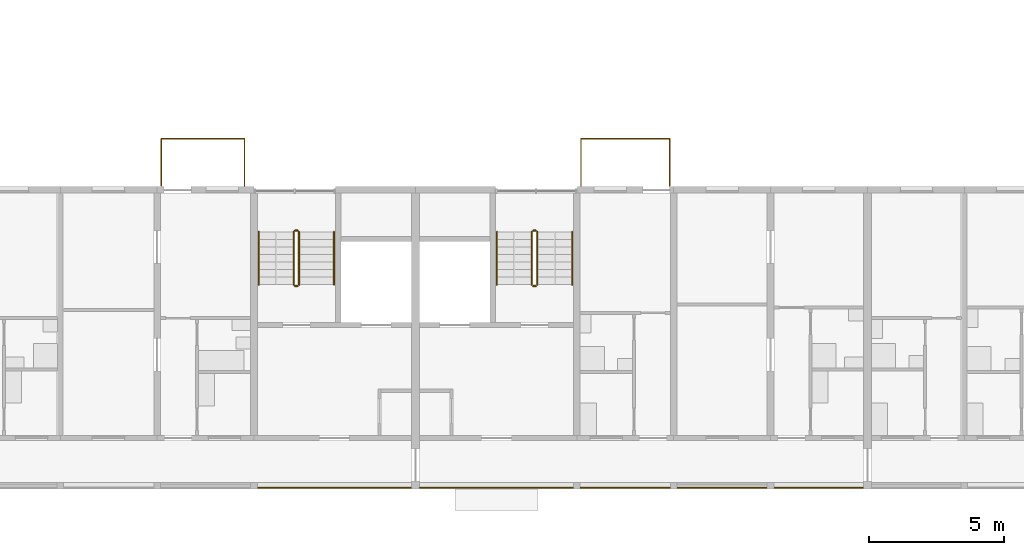
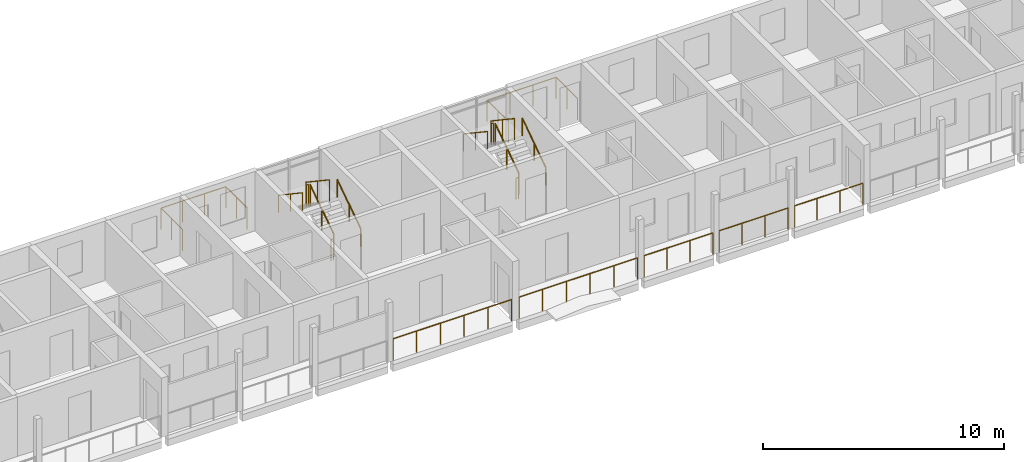
# One storey, part 74 of 100: 19 railings.
"""IFC4 building model written with IfcOpenShell, lengths in metres."""

import ifcopenshell
import ifcopenshell.guid

model = None  # the IFC model being written
_history = None  # IfcOwnerHistory: only IFC2X3 demands one
_inside = {}  # id of a spatial element -> (the spatial element, [elements in it])
_under = {}  # id of a project, library or spatial element -> (it, [spatial elements below it])
_declared = {}  # id of a project -> (the project, [libraries it declares])
_typed = {}  # id of a type object -> (the type object, [elements of that type])
_made_of = {}  # id of a material, layer set ... -> (it, [elements and type objects made of it])


def new_model(schema):
    """Start an empty IFC model of exactly this schema.

    Asked for "IFC4X3", IfcOpenShell would pick the latest addendum, in which some entities
    have other attributes; the version numbers below select the first issue.
    IFC2X3 requires an IfcOwnerHistory on every rooted entity: one is made here for all.
    """
    global model, _history
    if schema == "IFC4X3":
        model = ifcopenshell.file(schema_version=(4, 3, 0, 0))
    else:
        model = ifcopenshell.file(schema=schema)
    _inside.clear()
    _under.clear()
    _declared.clear()
    _typed.clear()
    _made_of.clear()
    _history = None
    if model.schema == "IFC2X3":
        org = make("IfcOrganization", Name="unknown")
        user = make(
            "IfcPersonAndOrganization",
            ThePerson=make("IfcPerson", FamilyName="unknown"),
            TheOrganization=org,
        )
        app = make(
            "IfcApplication",
            ApplicationDeveloper=org,
            Version="unknown",
            ApplicationFullName="unknown",
            ApplicationIdentifier="unknown",
        )
        _history = make(
            "IfcOwnerHistory",
            OwningUser=user,
            OwningApplication=app,
            ChangeAction="ADDED",
            CreationDate=0,
        )
    return model


def make(cls, **values):
    """One entity of the class cls with the attributes given. An attribute that is None is left unset."""
    return model.create_entity(
        cls, **{name: value for name, value in values.items() if value is not None}
    )


def rooted(cls, **values):
    """An entity with a GlobalId (a new one), such as an element, a storey or a relation."""
    return make(cls, GlobalId=ifcopenshell.guid.new(), OwnerHistory=_history, **values)


def si_unit(unit_type, name, prefix=None):
    """IfcSIUnit, for example si_unit("LENGTHUNIT", "METRE", prefix="MILLI")."""
    return make("IfcSIUnit", UnitType=unit_type, Prefix=prefix, Name=name)


def assignment(units):
    """IfcUnitAssignment: the units of a project."""
    return None if units is None else make("IfcUnitAssignment", Units=units)


def point(xyz):
    """IfcCartesianPoint."""
    return None if xyz is None else make("IfcCartesianPoint", Coordinates=xyz)


def direction(xyz):
    """IfcDirection."""
    return None if xyz is None else make("IfcDirection", DirectionRatios=xyz)


def frame(location, z_axis=None, x_axis=None):
    """IfcAxis2Placement3D, a coordinate frame: its origin and axes. An axis left out is left unset."""
    return make(
        "IfcAxis2Placement3D",
        Location=point(location),
        Axis=direction(z_axis),
        RefDirection=direction(x_axis),
    )


def frame_2d(location, x_axis=None):
    """IfcAxis2Placement2D, a coordinate frame in the plane: its origin and x axis."""
    return make(
        "IfcAxis2Placement2D", Location=point(location), RefDirection=direction(x_axis)
    )


def origin():
    """The frame at (0, 0, 0) with its axes left unset."""
    return frame((0.0, 0.0, 0.0))


def origin_2d():
    """The frame at (0, 0) in the plane with its x axis left unset."""
    return frame_2d((0.0, 0.0))


def place(relative_to, where):
    """IfcLocalPlacement: puts the frame where relative to a parent placement (None: the world)."""
    return make(
        "IfcLocalPlacement", PlacementRelTo=relative_to, RelativePlacement=where
    )


def context(
    kind, dimensions, precision=None, world=None, true_north=None, identifier=None
):
    """IfcGeometricRepresentationContext, for example the 3D "Model" context."""
    return make(
        "IfcGeometricRepresentationContext",
        ContextIdentifier=identifier,
        ContextType=kind,
        CoordinateSpaceDimension=dimensions,
        Precision=precision,
        WorldCoordinateSystem=world,
        TrueNorth=true_north,
    )


def subcontext(parent, identifier, kind, view, scale=None):
    """IfcGeometricRepresentationSubContext, for example "Body" below "Model"."""
    return make(
        "IfcGeometricRepresentationSubContext",
        ContextIdentifier=identifier,
        ContextType=kind,
        ParentContext=parent,
        TargetScale=scale,
        TargetView=view,
    )


def project(units=None, contexts=None):
    """IfcProject with its units and contexts."""
    return rooted(
        "IfcProject",
        Name="project",
        RepresentationContexts=contexts,
        UnitsInContext=assignment(units),
    )


def spatial(cls, under=None, at=None, **own):
    """A site, building, storey or space (cls), placed at a placement, below another one or the project."""
    s = rooted(cls, ObjectPlacement=at, **own)
    if under is not None:
        _under.setdefault(under.id(), (under, []))[1].append(s)
    return s


def profile(cls, at=None, kind="AREA", **sizes):
    """A parametric profile (cls). Its sizes go by their IFC names, for example OverallWidth=200.0."""
    return make(cls, ProfileType=kind, Position=at, **sizes)


def circle(**sizes):
    """IfcCircleProfileDef."""
    return profile("IfcCircleProfileDef", **sizes)


def extrude(swept, where, along, depth):
    """IfcExtrudedAreaSolid: the profile swept, set in the frame where, extruded along a direction by depth."""
    return make(
        "IfcExtrudedAreaSolid",
        SweptArea=swept,
        Position=where,
        ExtrudedDirection=direction(along),
        Depth=depth,
    )


def shape(context_of_items, identifier, shape_type, items):
    """IfcShapeRepresentation: the items that make up one representation, for example the "Body"."""
    return make(
        "IfcShapeRepresentation",
        ContextOfItems=context_of_items,
        RepresentationIdentifier=identifier,
        RepresentationType=shape_type,
        Items=items,
    )


def material(Name=None, Category=None):
    """IfcMaterial."""
    return make("IfcMaterial", Name=Name, Category=Category)


def made_of(thing, what):
    """Note that an element or type object is made of a material, layer set ...; save() writes the relation."""
    if what is not None:
        _made_of.setdefault(what.id(), (what, []))[1].append(thing)
    return thing


def type_object(cls, material=None, **own):
    """A type object (cls), such as IfcWallType, which elements share."""
    return made_of(rooted(cls, **own), material)


def element(
    cls,
    number,
    at=None,
    inside=None,
    cuts=None,
    type_object=None,
    material=None,
    context=None,
    identifier="Body",
    shape_type=None,
    held_by="IfcProductDefinitionShape",
    body=None,
    shapes=None,
    **own,
):
    """One element of the class cls, such as IfcWall. Its Tag is "e" and its number.

    at: its placement. inside: the storey or other place that contains it. cuts: it is an
    opening in that element (IfcRelVoidsElement). A single representation is given by context,
    identifier, shape_type and body (its items); several are given by shapes. held_by: the class
    of the entity that holds the representations. save() writes the other relations.
    """
    e = rooted(cls, Tag="e%d" % number, ObjectPlacement=at, **own)
    if body is not None:
        shapes = [shape(context, identifier, shape_type, body)]
    if shapes is not None:
        e.Representation = make(held_by, Representations=shapes)
    if inside is not None:
        _inside.setdefault(inside.id(), (inside, []))[1].append(e)
    if cuts is not None:
        rooted(
            "IfcRelVoidsElement", RelatingBuildingElement=cuts, RelatedOpeningElement=e
        )
    if type_object is not None:
        _typed.setdefault(type_object.id(), (type_object, []))[1].append(e)
    return made_of(e, material)


def aggregate(whole, parts):
    """IfcRelAggregates: a whole, such as a stair, and the parts it consists of."""
    return rooted("IfcRelAggregates", RelatingObject=whole, RelatedObjects=parts)


def save(model, path):
    """Write the relations noted so far, then the file.

    IfcRelAggregates (storeys below a building ...), IfcRelContainedInSpatialStructure (elements
    in a storey), IfcRelDefinesByType, IfcRelAssociatesMaterial and IfcRelDeclares: one each for
    every whole, place, type object, material and project.
    """
    for whole, parts in _under.values():
        aggregate(whole, parts)
    for where, things in _inside.values():
        rooted(
            "IfcRelContainedInSpatialStructure",
            RelatedElements=things,
            RelatingStructure=where,
        )
    for kind, things in _typed.values():
        rooted("IfcRelDefinesByType", RelatedObjects=things, RelatingType=kind)
    for what, things in _made_of.values():
        rooted("IfcRelAssociatesMaterial", RelatedObjects=things, RelatingMaterial=what)
    for by, libraries in _declared.values():
        rooted("IfcRelDeclares", RelatingContext=by, RelatedDefinitions=libraries)
    model.write(path)


model = new_model("IFC4")

# Units and contexts
model_context = context("Model", 3, precision=1e-05, world=origin(), true_north=direction((0.0, 1.0)))
body_context = subcontext(model_context, "Body", "Model", "MODEL_VIEW")
ifc_project = project(units=[si_unit("LENGTHUNIT", "METRE"), si_unit("AREAUNIT", "SQUARE_METRE"), si_unit("VOLUMEUNIT", "CUBIC_METRE"), si_unit("PLANEANGLEUNIT", "RADIAN"), si_unit("MASSUNIT", "GRAM", prefix="KILO")], contexts=[model_context])

# Site, building, storey
site_placement = place(None, origin())
site = spatial("IfcSite", under=ifc_project, at=site_placement, CompositionType="ELEMENT")
building_placement = place(site_placement, origin())
building = spatial("IfcBuilding", under=site, at=building_placement, Name="Ridgestep Commons", CompositionType="ELEMENT")
storey_placement = place(building_placement, frame((0.0, 0.0, 9.0)))
storey = spatial("IfcBuildingStorey", under=building, at=storey_placement, Name="L03", CompositionType="ELEMENT", Elevation=9.0)

# Railings
ifc_material_1 = material(Name="Structural steel S355JR", Category="steel")
railing_type_1 = type_object("IfcRailingType", Name="Guard 1100", PredefinedType="GUARDRAIL", material=ifc_material_1)
railing_1_placement = place(storey_placement, frame((39.74609375, 11.800048828125, 0.0)))
element("IfcRailing", 1, at=railing_1_placement, inside=storey, type_object=railing_type_1, Name="Gallery guard A 03.8", PredefinedType="GUARDRAIL", context=body_context, shape_type="SweptSolid", body=[
    extrude(circle(Radius=0.02392578125, at=origin_2d()), frame((0.0, 0.0, 1.076171875), z_axis=(1.0, 0.0, 0.0), x_axis=(0.0, 1.0, 0.0)), (0.0, 0.0, 1.0), 5.682861328125),
    extrude(circle(Radius=0.02099609375, at=origin_2d()), origin(), (0.0, 0.0, 1.0), 1.052001953125),
    extrude(circle(Radius=0.02099609375, at=origin_2d()), frame((1.136474609375, 0.0, 0.0)), (0.0, 0.0, 1.0), 1.052001953125),
    extrude(circle(Radius=0.02099609375, at=origin_2d()), frame((2.273193359375, 0.0, 0.0)), (0.0, 0.0, 1.0), 1.052001953125),
    extrude(circle(Radius=0.02099609375, at=origin_2d()), frame((3.40966796875, 0.0, 0.0)), (0.0, 0.0, 1.0), 1.052001953125),
    extrude(circle(Radius=0.02099609375, at=origin_2d()), frame((4.54638671875, 0.0, 0.0)), (0.0, 0.0, 1.0), 1.052001953125),
    extrude(circle(Radius=0.02099609375, at=origin_2d()), frame((5.682861328125, 0.0, 0.0)), (0.0, 0.0, 1.0), 1.052001953125),
])
railing_2_placement = place(storey_placement, frame((45.77099609375, 11.800048828125, 0.0)))
element("IfcRailing", 2, at=railing_2_placement, inside=storey, type_object=railing_type_1, Name="Gallery guard A 03.9", PredefinedType="GUARDRAIL", context=body_context, shape_type="SweptSolid", body=[
    extrude(circle(Radius=0.02392578125, at=origin_2d()), frame((0.0, 0.0, 1.076171875), z_axis=(1.0, 0.0, 0.0), x_axis=(0.0, 1.0, 0.0)), (0.0, 0.0, 1.0), 5.68310546875),
    extrude(circle(Radius=0.02099609375, at=origin_2d()), origin(), (0.0, 0.0, 1.0), 1.052001953125),
    extrude(circle(Radius=0.02099609375, at=origin_2d()), frame((1.13671875, 0.0, 0.0)), (0.0, 0.0, 1.0), 1.052001953125),
    extrude(circle(Radius=0.02099609375, at=origin_2d()), frame((2.273193359375, 0.0, 0.0)), (0.0, 0.0, 1.0), 1.052001953125),
    extrude(circle(Radius=0.02099609375, at=origin_2d()), frame((3.409912109375, 0.0, 0.0)), (0.0, 0.0, 1.0), 1.052001953125),
    extrude(circle(Radius=0.02099609375, at=origin_2d()), frame((4.54638671875, 0.0, 0.0)), (0.0, 0.0, 1.0), 1.052001953125),
    extrude(circle(Radius=0.02099609375, at=origin_2d()), frame((5.68310546875, 0.0, 0.0)), (0.0, 0.0, 1.0), 1.052001953125),
])
railing_3_placement = place(storey_placement, frame((51.74609375, 11.800048828125, 0.0)))
element("IfcRailing", 3, at=railing_3_placement, inside=storey, type_object=railing_type_1, Name="Gallery guard A 03.10", PredefinedType="GUARDRAIL", context=body_context, shape_type="SweptSolid", body=[
    extrude(circle(Radius=0.02392578125, at=origin_2d()), frame((0.0, 0.0, 1.076171875), z_axis=(1.0, 0.0, 0.0), x_axis=(0.0, 1.0, 0.0)), (0.0, 0.0, 1.0), 3.307861328125),
    extrude(circle(Radius=0.02099609375, at=origin_2d()), origin(), (0.0, 0.0, 1.0), 1.052001953125),
    extrude(circle(Radius=0.02099609375, at=origin_2d()), frame((1.1025390625, 0.0, 0.0)), (0.0, 0.0, 1.0), 1.052001953125),
    extrude(circle(Radius=0.02099609375, at=origin_2d()), frame((2.205322265625, 0.0, 0.0)), (0.0, 0.0, 1.0), 1.052001953125),
    extrude(circle(Radius=0.02099609375, at=origin_2d()), frame((3.307861328125, 0.0, 0.0)), (0.0, 0.0, 1.0), 1.052001953125),
])
railing_4_placement = place(storey_placement, frame((55.345947265625, 11.800048828125, 0.0)))
element("IfcRailing", 4, at=railing_4_placement, inside=storey, type_object=railing_type_1, Name="Gallery guard A 03.11", PredefinedType="GUARDRAIL", context=body_context, shape_type="SweptSolid", body=[
    extrude(circle(Radius=0.02392578125, at=origin_2d()), frame((0.0, 0.0, 1.076171875), z_axis=(1.0, 0.0, 0.0), x_axis=(0.0, 1.0, 0.0)), (0.0, 0.0, 1.0), 3.30810546875),
    extrude(circle(Radius=0.02099609375, at=origin_2d()), origin(), (0.0, 0.0, 1.0), 1.052001953125),
    extrude(circle(Radius=0.02099609375, at=origin_2d()), frame((1.102783203125, 0.0, 0.0)), (0.0, 0.0, 1.0), 1.052001953125),
    extrude(circle(Radius=0.02099609375, at=origin_2d()), frame((2.205322265625, 0.0, 0.0)), (0.0, 0.0, 1.0), 1.052001953125),
    extrude(circle(Radius=0.02099609375, at=origin_2d()), frame((3.30810546875, 0.0, 0.0)), (0.0, 0.0, 1.0), 1.052001953125),
])
railing_5_placement = place(storey_placement, frame((58.946044921875, 11.800048828125, 0.0)))
element("IfcRailing", 5, at=railing_5_placement, inside=storey, type_object=railing_type_1, Name="Gallery guard A 03.12", PredefinedType="GUARDRAIL", context=body_context, shape_type="SweptSolid", body=[
    extrude(circle(Radius=0.02392578125, at=origin_2d()), frame((0.0, 0.0, 1.076171875), z_axis=(1.0, 0.0, 0.0), x_axis=(0.0, 1.0, 0.0)), (0.0, 0.0, 1.0), 3.282958984375),
    extrude(circle(Radius=0.02099609375, at=origin_2d()), origin(), (0.0, 0.0, 1.0), 1.052001953125),
    extrude(circle(Radius=0.02099609375, at=origin_2d()), frame((1.09423828125, 0.0, 0.0)), (0.0, 0.0, 1.0), 1.052001953125),
    extrude(circle(Radius=0.02099609375, at=origin_2d()), frame((2.188720703125, 0.0, 0.0)), (0.0, 0.0, 1.0), 1.052001953125),
    extrude(circle(Radius=0.02099609375, at=origin_2d()), frame((3.282958984375, 0.0, 0.0)), (0.0, 0.0, 1.0), 1.052001953125),
])
ifc_material_2 = material(Name="Structural steel S355JR", Category="steel")
railing_type_2 = type_object("IfcRailingType", Name="Stair guard 1100", PredefinedType="GUARDRAIL", material=ifc_material_2)
railing_6_placement = place(storey_placement, frame((41.27490234375, 19.35009765625, 0.1875)))
element("IfcRailing", 6, at=railing_6_placement, inside=storey, type_object=railing_type_2, Name="L03 A2C stair guard 1", PredefinedType="GUARDRAIL", context=body_context, shape_type="SweptSolid", body=[
    extrude(circle(Radius=0.02392578125, at=origin_2d()), frame((0.0, 0.0, 1.076171875), z_axis=(0.0, 0.830902050051, 0.556418712142), x_axis=(-1.0, 0.0, 0.0)), (0.0, 0.0, 1.0), 2.35888671875),
    extrude(circle(Radius=0.02099609375, at=origin_2d()), origin(), (0.0, 0.0, 1.0), 1.052001953125),
    extrude(circle(Radius=0.02099609375, at=origin_2d()), frame((0.0, 0.97998046875, 0.65625)), (0.0, 0.0, 1.0), 1.052001953125),
    extrude(circle(Radius=0.02099609375, at=origin_2d()), frame((0.0, 1.9599609375, 1.3125)), (0.0, 0.0, 1.0), 1.052001953125),
])
railing_7_placement = place(storey_placement, frame((41.22509765625, 21.360107421875, 1.5)))
element("IfcRailing", 7, at=railing_7_placement, inside=storey, type_object=railing_type_2, Name="L03 A2C stair guard 2", PredefinedType="GUARDRAIL", context=body_context, shape_type="SweptSolid", body=[
    extrude(circle(Radius=0.02392578125, at=origin_2d()), frame((0.0, 0.0, 1.076171875), z_axis=(-1.0, 0.0, 0.0), x_axis=(0.0, -1.0, 0.0)), (0.0, 0.0, 1.0), 0.10009765625),
    extrude(circle(Radius=0.02099609375, at=origin_2d()), origin(), (0.0, 0.0, 1.0), 1.052001953125),
    extrude(circle(Radius=0.02099609375, at=origin_2d()), frame((-0.10009765625, 0.0, 0.0)), (0.0, 0.0, 1.0), 1.052001953125),
])
railing_8_placement = place(storey_placement, frame((41.074951171875, 21.31005859375, 1.6875)))
element("IfcRailing", 8, at=railing_8_placement, inside=storey, type_object=railing_type_2, Name="L03 A2C stair guard 3", PredefinedType="GUARDRAIL", context=body_context, shape_type="SweptSolid", body=[
    extrude(circle(Radius=0.02392578125, at=origin_2d()), frame((0.0, 0.0, 1.076171875), z_axis=(0.0, -0.830902050051, 0.556418712142), x_axis=(1.0, 0.0, 0.0)), (0.0, 0.0, 1.0), 2.35888671875),
    extrude(circle(Radius=0.02099609375, at=origin_2d()), origin(), (0.0, 0.0, 1.0), 1.052001953125),
    extrude(circle(Radius=0.02099609375, at=origin_2d()), frame((0.0, -0.97998046875, 0.65625)), (0.0, 0.0, 1.0), 1.052001953125),
    extrude(circle(Radius=0.02099609375, at=origin_2d()), frame((0.0, -1.9599609375, 1.3125)), (0.0, 0.0, 1.0), 1.052001953125),
])
railing_9_placement = place(storey_placement, frame((41.22509765625, 19.300048828125, 0.0)))
element("IfcRailing", 9, at=railing_9_placement, inside=storey, type_object=railing_type_2, Name="L03 A2C stair guard 4", PredefinedType="GUARDRAIL", context=body_context, shape_type="SweptSolid", body=[
    extrude(circle(Radius=0.02392578125, at=origin_2d()), frame((0.0, 0.0, 1.076171875), z_axis=(-1.0, 0.0, 0.0), x_axis=(0.0, -1.0, 0.0)), (0.0, 0.0, 1.0), 0.10009765625),
    extrude(circle(Radius=0.02099609375, at=origin_2d()), origin(), (0.0, 0.0, 1.0), 1.052001953125),
    extrude(circle(Radius=0.02099609375, at=origin_2d()), frame((-0.10009765625, 0.0, 0.0)), (0.0, 0.0, 1.0), 1.052001953125),
])
railing_10_placement = place(storey_placement, frame((50.125, 19.35009765625, 0.1875)))
element("IfcRailing", 10, at=railing_10_placement, inside=storey, type_object=railing_type_2, Name="L03 A3C stair guard 1", PredefinedType="GUARDRAIL", context=body_context, shape_type="SweptSolid", body=[
    extrude(circle(Radius=0.02392578125, at=origin_2d()), frame((0.0, 0.0, 1.076171875), z_axis=(0.0, 0.830902050051, 0.556418712142), x_axis=(-1.0, 0.0, 0.0)), (0.0, 0.0, 1.0), 2.35888671875),
    extrude(circle(Radius=0.02099609375, at=origin_2d()), origin(), (0.0, 0.0, 1.0), 1.052001953125),
    extrude(circle(Radius=0.02099609375, at=origin_2d()), frame((0.0, 0.97998046875, 0.65625)), (0.0, 0.0, 1.0), 1.052001953125),
    extrude(circle(Radius=0.02099609375, at=origin_2d()), frame((0.0, 1.9599609375, 1.3125)), (0.0, 0.0, 1.0), 1.052001953125),
])
railing_11_placement = place(storey_placement, frame((50.074951171875, 21.360107421875, 1.5)))
element("IfcRailing", 11, at=railing_11_placement, inside=storey, type_object=railing_type_2, Name="L03 A3C stair guard 2", PredefinedType="GUARDRAIL", context=body_context, shape_type="SweptSolid", body=[
    extrude(circle(Radius=0.02392578125, at=origin_2d()), frame((0.0, 0.0, 1.076171875), z_axis=(-1.0, 0.0, 0.0), x_axis=(0.0, -1.0, 0.0)), (0.0, 0.0, 1.0), 0.099853515625),
    extrude(circle(Radius=0.02099609375, at=origin_2d()), origin(), (0.0, 0.0, 1.0), 1.052001953125),
    extrude(circle(Radius=0.02099609375, at=origin_2d()), frame((-0.099853515625, 0.0, 0.0)), (0.0, 0.0, 1.0), 1.052001953125),
])
railing_12_placement = place(storey_placement, frame((49.925048828125, 21.31005859375, 1.6875)))
element("IfcRailing", 12, at=railing_12_placement, inside=storey, type_object=railing_type_2, Name="L03 A3C stair guard 3", PredefinedType="GUARDRAIL", context=body_context, shape_type="SweptSolid", body=[
    extrude(circle(Radius=0.02392578125, at=origin_2d()), frame((0.0, 0.0, 1.076171875), z_axis=(0.0, -0.830902050051, 0.556418712142), x_axis=(1.0, 0.0, 0.0)), (0.0, 0.0, 1.0), 2.35888671875),
    extrude(circle(Radius=0.02099609375, at=origin_2d()), origin(), (0.0, 0.0, 1.0), 1.052001953125),
    extrude(circle(Radius=0.02099609375, at=origin_2d()), frame((0.0, -0.97998046875, 0.65625)), (0.0, 0.0, 1.0), 1.052001953125),
    extrude(circle(Radius=0.02099609375, at=origin_2d()), frame((0.0, -1.9599609375, 1.3125)), (0.0, 0.0, 1.0), 1.052001953125),
])
railing_13_placement = place(storey_placement, frame((50.074951171875, 19.300048828125, 0.0)))
element("IfcRailing", 13, at=railing_13_placement, inside=storey, type_object=railing_type_2, Name="L03 A3C stair guard 4", PredefinedType="GUARDRAIL", context=body_context, shape_type="SweptSolid", body=[
    extrude(circle(Radius=0.02392578125, at=origin_2d()), frame((0.0, 0.0, 1.076171875), z_axis=(-1.0, 0.0, 0.0), x_axis=(0.0, -1.0, 0.0)), (0.0, 0.0, 1.0), 0.099853515625),
    extrude(circle(Radius=0.02099609375, at=origin_2d()), origin(), (0.0, 0.0, 1.0), 1.052001953125),
    extrude(circle(Radius=0.02099609375, at=origin_2d()), frame((-0.099853515625, 0.0, 0.0)), (0.0, 0.0, 1.0), 1.052001953125),
])
ifc_material_3 = material(Name="Structural steel S355JR", Category="steel")
railing_type_3 = type_object("IfcRailingType", Name="Stair handrail 900", PredefinedType="HANDRAIL", material=ifc_material_3)
railing_14_placement = place(storey_placement, frame((42.574951171875, 19.35009765625, 0.1875)))
element("IfcRailing", 14, at=railing_14_placement, inside=storey, type_object=railing_type_3, Name="L03 A2C stair handrail 1", PredefinedType="HANDRAIL", context=body_context, shape_type="SweptSolid", body=[
    extrude(circle(Radius=0.02392578125, at=origin_2d()), frame((0.0, 0.0, 0.8759765625), z_axis=(0.0, 0.830902050051, 0.556418712142), x_axis=(-1.0, 0.0, 0.0)), (0.0, 0.0, 1.0), 2.35888671875),
    extrude(circle(Radius=0.02099609375, at=origin_2d()), origin(), (0.0, 0.0, 1.0), 0.851806640625),
    extrude(circle(Radius=0.02099609375, at=origin_2d()), frame((0.0, 0.97998046875, 0.65625)), (0.0, 0.0, 1.0), 0.851806640625),
    extrude(circle(Radius=0.02099609375, at=origin_2d()), frame((0.0, 1.9599609375, 1.3125)), (0.0, 0.0, 1.0), 0.851806640625),
])
railing_15_placement = place(storey_placement, frame((39.77490234375, 21.31005859375, 1.6875)))
element("IfcRailing", 15, at=railing_15_placement, inside=storey, type_object=railing_type_3, Name="L03 A2C stair handrail 2", PredefinedType="HANDRAIL", context=body_context, shape_type="SweptSolid", body=[
    extrude(circle(Radius=0.02392578125, at=origin_2d()), frame((0.0, 0.0, 0.8759765625), z_axis=(0.0, -0.830902050051, 0.556418712142), x_axis=(1.0, 0.0, 0.0)), (0.0, 0.0, 1.0), 2.35888671875),
    extrude(circle(Radius=0.02099609375, at=origin_2d()), origin(), (0.0, 0.0, 1.0), 0.851806640625),
    extrude(circle(Radius=0.02099609375, at=origin_2d()), frame((0.0, -0.97998046875, 0.65625)), (0.0, 0.0, 1.0), 0.851806640625),
    extrude(circle(Radius=0.02099609375, at=origin_2d()), frame((0.0, -1.9599609375, 1.3125)), (0.0, 0.0, 1.0), 0.851806640625),
])
railing_16_placement = place(storey_placement, frame((51.425048828125, 19.35009765625, 0.1875)))
element("IfcRailing", 16, at=railing_16_placement, inside=storey, type_object=railing_type_3, Name="L03 A3C stair handrail 1", PredefinedType="HANDRAIL", context=body_context, shape_type="SweptSolid", body=[
    extrude(circle(Radius=0.02392578125, at=origin_2d()), frame((0.0, 0.0, 0.8759765625), z_axis=(0.0, 0.830902050051, 0.556418712142), x_axis=(-1.0, 0.0, 0.0)), (0.0, 0.0, 1.0), 2.35888671875),
    extrude(circle(Radius=0.02099609375, at=origin_2d()), origin(), (0.0, 0.0, 1.0), 0.851806640625),
    extrude(circle(Radius=0.02099609375, at=origin_2d()), frame((0.0, 0.97998046875, 0.65625)), (0.0, 0.0, 1.0), 0.851806640625),
    extrude(circle(Radius=0.02099609375, at=origin_2d()), frame((0.0, 1.9599609375, 1.3125)), (0.0, 0.0, 1.0), 0.851806640625),
])
railing_17_placement = place(storey_placement, frame((48.625, 21.31005859375, 1.6875)))
element("IfcRailing", 17, at=railing_17_placement, inside=storey, type_object=railing_type_3, Name="L03 A3C stair handrail 2", PredefinedType="HANDRAIL", context=body_context, shape_type="SweptSolid", body=[
    extrude(circle(Radius=0.02392578125, at=origin_2d()), frame((0.0, 0.0, 0.8759765625), z_axis=(0.0, -0.830902050051, 0.556418712142), x_axis=(1.0, 0.0, 0.0)), (0.0, 0.0, 1.0), 2.35888671875),
    extrude(circle(Radius=0.02099609375, at=origin_2d()), origin(), (0.0, 0.0, 1.0), 0.851806640625),
    extrude(circle(Radius=0.02099609375, at=origin_2d()), frame((0.0, -0.97998046875, 0.65625)), (0.0, 0.0, 1.0), 0.851806640625),
    extrude(circle(Radius=0.02099609375, at=origin_2d()), frame((0.0, -1.9599609375, 1.3125)), (0.0, 0.0, 1.0), 0.851806640625),
])
ifc_material_4 = material(Name="Weathering steel S355J2W", Category="steel")
railing_type_4 = type_object("IfcRailingType", Name="Tray guard 1100", PredefinedType="GUARDRAIL", material=ifc_material_4)
railing_18_placement = place(storey_placement, frame((36.15087890625, 23.02099609375, 0.0)))
element("IfcRailing", 18, at=railing_18_placement, inside=storey, type_object=railing_type_4, Name="Tray guard A2T3-03", PredefinedType="GUARDRAIL", context=body_context, shape_type="SweptSolid", body=[
    extrude(circle(Radius=0.02392578125, at=origin_2d()), frame((0.0, 0.0, 1.076171875), z_axis=(0.0, 1.0, 0.0), x_axis=(-1.0, 0.0, 0.0)), (0.0, 0.0, 1.0), 1.758056640625),
    extrude(circle(Radius=0.02392578125, at=origin_2d()), frame((0.0, 1.758056640625, 1.076171875), z_axis=(1.0, 0.0, 0.0), x_axis=(0.0, 1.0, 0.0)), (0.0, 0.0, 1.0), 3.09814453125),
    extrude(circle(Radius=0.02392578125, at=origin_2d()), frame((3.09814453125, 1.758056640625, 1.076171875), z_axis=(0.0, -1.0, 0.0), x_axis=(1.0, 0.0, 0.0)), (0.0, 0.0, 1.0), 1.758056640625),
    extrude(circle(Radius=0.02099609375, at=origin_2d()), origin(), (0.0, 0.0, 1.0), 1.052001953125),
    extrude(circle(Radius=0.02099609375, at=origin_2d()), frame((0.0, 0.87890625, 0.0)), (0.0, 0.0, 1.0), 1.052001953125),
    extrude(circle(Radius=0.02099609375, at=origin_2d()), frame((0.0, 1.758056640625, 0.0)), (0.0, 0.0, 1.0), 1.052001953125),
    extrude(circle(Radius=0.02099609375, at=origin_2d()), frame((1.03271484375, 1.758056640625, 0.0)), (0.0, 0.0, 1.0), 1.052001953125),
    extrude(circle(Radius=0.02099609375, at=origin_2d()), frame((2.0654296875, 1.758056640625, 0.0)), (0.0, 0.0, 1.0), 1.052001953125),
    extrude(circle(Radius=0.02099609375, at=origin_2d()), frame((3.09814453125, 1.758056640625, 0.0)), (0.0, 0.0, 1.0), 1.052001953125),
    extrude(circle(Radius=0.02099609375, at=origin_2d()), frame((3.09814453125, 0.87890625, 0.0)), (0.0, 0.0, 1.0), 1.052001953125),
    extrude(circle(Radius=0.02099609375, at=origin_2d()), frame((3.09814453125, 0.0, 0.0)), (0.0, 0.0, 1.0), 1.052001953125),
])
railing_19_placement = place(storey_placement, frame((51.7509765625, 23.02099609375, 0.0)))
element("IfcRailing", 19, at=railing_19_placement, inside=storey, type_object=railing_type_4, Name="Tray guard A3T3-03", PredefinedType="GUARDRAIL", context=body_context, shape_type="SweptSolid", body=[
    extrude(circle(Radius=0.02392578125, at=origin_2d()), frame((0.0, 0.0, 1.076171875), z_axis=(0.0, 1.0, 0.0), x_axis=(-1.0, 0.0, 0.0)), (0.0, 0.0, 1.0), 1.758056640625),
    extrude(circle(Radius=0.02392578125, at=origin_2d()), frame((0.0, 1.758056640625, 1.076171875), z_axis=(1.0, 0.0, 0.0), x_axis=(0.0, 1.0, 0.0)), (0.0, 0.0, 1.0), 3.298095703125),
    extrude(circle(Radius=0.02392578125, at=origin_2d()), frame((3.298095703125, 1.758056640625, 1.076171875), z_axis=(0.0, -1.0, 0.0), x_axis=(1.0, 0.0, 0.0)), (0.0, 0.0, 1.0), 1.758056640625),
    extrude(circle(Radius=0.02099609375, at=origin_2d()), origin(), (0.0, 0.0, 1.0), 1.052001953125),
    extrude(circle(Radius=0.02099609375, at=origin_2d()), frame((0.0, 0.87890625, 0.0)), (0.0, 0.0, 1.0), 1.052001953125),
    extrude(circle(Radius=0.02099609375, at=origin_2d()), frame((0.0, 1.758056640625, 0.0)), (0.0, 0.0, 1.0), 1.052001953125),
    extrude(circle(Radius=0.02099609375, at=origin_2d()), frame((1.099365234375, 1.758056640625, 0.0)), (0.0, 0.0, 1.0), 1.052001953125),
    extrude(circle(Radius=0.02099609375, at=origin_2d()), frame((2.19873046875, 1.758056640625, 0.0)), (0.0, 0.0, 1.0), 1.052001953125),
    extrude(circle(Radius=0.02099609375, at=origin_2d()), frame((3.298095703125, 1.758056640625, 0.0)), (0.0, 0.0, 1.0), 1.052001953125),
    extrude(circle(Radius=0.02099609375, at=origin_2d()), frame((3.298095703125, 0.87890625, 0.0)), (0.0, 0.0, 1.0), 1.052001953125),
    extrude(circle(Radius=0.02099609375, at=origin_2d()), frame((3.298095703125, 0.0, 0.0)), (0.0, 0.0, 1.0), 1.052001953125),
])

save(model, "model.ifc")
